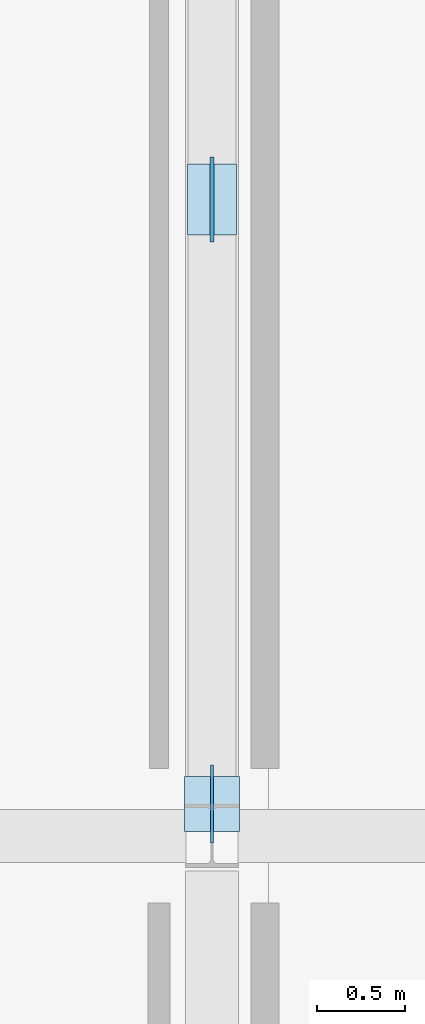
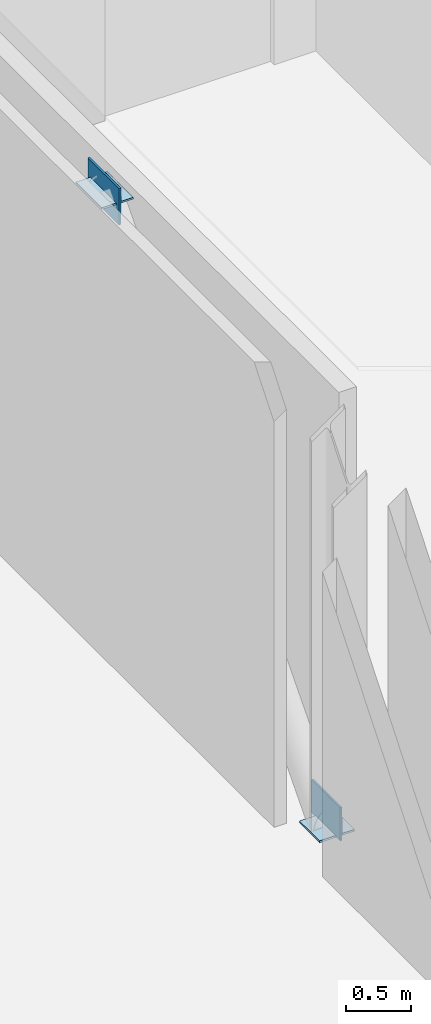
# One storey, part 45 of 76: 4 plates.
"""IFC4 building model written with IfcOpenShell, lengths in metres."""

from ifc_helpers import new_model, si_unit, direction, frame, origin, origin_2d, place, context, subcontext, project, spatial, rectangle, extrude, material, layer, layer_set, type_object, element, save


model = new_model("IFC4")

# Units and contexts
model_context = context("Model", 3, precision=1e-05, world=origin(), true_north=direction((0.0, 1.0)))
body_context = subcontext(model_context, "Body", "Model", "MODEL_VIEW")
ifc_project = project(units=[si_unit("LENGTHUNIT", "METRE"), si_unit("AREAUNIT", "SQUARE_METRE"), si_unit("VOLUMEUNIT", "CUBIC_METRE"), si_unit("PLANEANGLEUNIT", "RADIAN"), si_unit("MASSUNIT", "GRAM", prefix="KILO")], contexts=[model_context])

# Site, building, storey
site_placement = place(None, origin())
site = spatial("IfcSite", under=ifc_project, at=site_placement, CompositionType="ELEMENT")
building_placement = place(site_placement, origin())
building = spatial("IfcBuilding", under=site, at=building_placement, Name="Zarrinpeak Specialist Clinic", CompositionType="ELEMENT")
storey_placement = place(building_placement, frame((0.0, 0.0, 5.199951171875)))
storey = spatial("IfcBuildingStorey", under=building, at=storey_placement, Name="L01", CompositionType="ELEMENT", Elevation=5.199951171875)

# Plates
ifc_material = material(Name="Steel S355", Category="steel")
ifc_layer_1 = layer(ifc_material, 0.01806640625)
ifc_layer_set_1 = layer_set([ifc_layer_1], Name="Steel S355")
plate_type_1 = type_object("IfcPlateType", Name="PL-CAP273", PredefinedType="SHEET", material=ifc_layer_set_1)
plate_1_placement = place(storey_placement, frame((14.39990234375, 57.780029296875, 0.0), z_axis=(0.0, 0.0, 1.0), x_axis=(1.0, 0.0, 0.0)))
element("IfcPlate", 1, at=plate_1_placement, inside=storey, type_object=plate_type_1, Name="V5 L01 Hollow Brace Foot Cap Plate A", PredefinedType="SHEET", context=body_context, shape_type="SweptSolid", body=[
    extrude(rectangle(XDim=0.31005859375, YDim=0.31005859375, at=origin_2d()), origin(), (0.0, 0.0, 1.0), 0.01806640625),
])
ifc_layer_2 = layer(ifc_material, 0.02001953125)
ifc_layer_set_2 = layer_set([ifc_layer_2], Name="Steel S355")
plate_type_2 = type_object("IfcPlateType", Name="PL-GN01", PredefinedType="SHEET", material=ifc_layer_set_2)
plate_2_placement = place(storey_placement, frame((14.39990234375, 61.199951171875, 3.72509765625), z_axis=(0.0, 0.0, 1.0), x_axis=(1.0, 0.0, 0.0)))
element("IfcPlate", 2, at=plate_2_placement, inside=storey, type_object=plate_type_2, Name="V5 L01 Chevron Gusset Node Plate GN-V5-L01", PredefinedType="SHEET", context=body_context, shape_type="SweptSolid", body=[
    extrude(rectangle(XDim=0.02001953125, YDim=0.47998046875, at=origin_2d()), origin(), (0.0, 0.0, 1.0), 0.340087890625),
])
ifc_layer_3 = layer(ifc_material, 0.01611328125)
ifc_layer_set_3 = layer_set([ifc_layer_3], Name="Steel S355")
plate_type_3 = type_object("IfcPlateType", Name="PL-GN02", PredefinedType="SHEET", material=ifc_layer_set_3)
plate_3_placement = place(storey_placement, frame((14.39990234375, 61.199951171875, 3.89306640625), z_axis=(0.0, 0.0, 1.0), x_axis=(1.0, 0.0, 0.0)))
element("IfcPlate", 3, at=plate_3_placement, inside=storey, type_object=plate_type_3, Name="V5 L01 Chevron Apex Seal Plate GNCAP-V5-L01", PredefinedType="SHEET", context=body_context, shape_type="SweptSolid", body=[
    extrude(rectangle(XDim=0.280029296875, YDim=0.39990234375, at=origin_2d()), origin(), (0.0, 0.0, 1.0), 0.01611328125),
])
ifc_layer_4 = layer(ifc_material, 0.01806640625)
ifc_layer_set_4 = layer_set([ifc_layer_4], Name="Steel S355")
plate_type_4 = type_object("IfcPlateType", Name="PL-GN03", PredefinedType="SHEET", material=ifc_layer_set_4)
plate_4_placement = place(storey_placement, frame((14.39990234375, 57.780029296875, 0.005126953125), z_axis=(0.0, 0.0, 1.0), x_axis=(1.0, 0.0, 0.0)))
element("IfcPlate", 4, at=plate_4_placement, inside=storey, type_object=plate_type_4, Name="V5 L01 Brace Foot Gusset Plate GNF-V5-L01-A", PredefinedType="SHEET", context=body_context, shape_type="SweptSolid", body=[
    extrude(rectangle(XDim=0.01806640625, YDim=0.43994140625, at=origin_2d()), origin(), (0.0, 0.0, 1.0), 0.31005859375),
])

save(model, "model.ifc")
